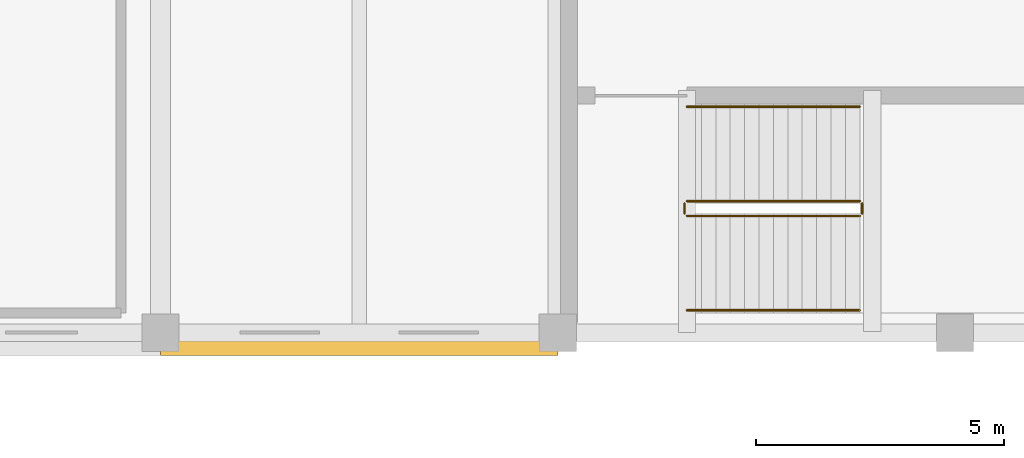
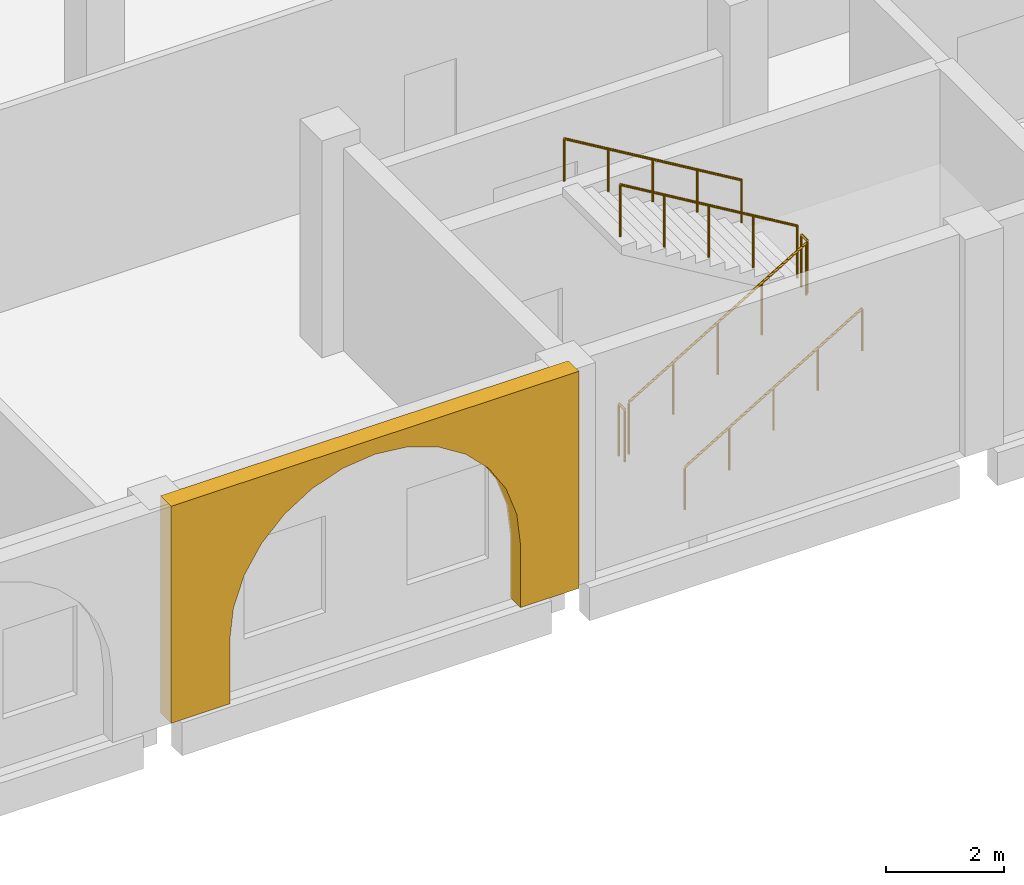
# One storey, part 48 of 53: 6 railings, 1 covering.
"""IFC4 building model written with IfcOpenShell, lengths in metres."""

import ifcopenshell
import ifcopenshell.guid

model = None  # the IFC model being written
_history = None  # IfcOwnerHistory: only IFC2X3 demands one
_inside = {}  # id of a spatial element -> (the spatial element, [elements in it])
_under = {}  # id of a project, library or spatial element -> (it, [spatial elements below it])
_declared = {}  # id of a project -> (the project, [libraries it declares])
_typed = {}  # id of a type object -> (the type object, [elements of that type])
_made_of = {}  # id of a material, layer set ... -> (it, [elements and type objects made of it])


def new_model(schema):
    """Start an empty IFC model of exactly this schema.

    Asked for "IFC4X3", IfcOpenShell would pick the latest addendum, in which some entities
    have other attributes; the version numbers below select the first issue.
    IFC2X3 requires an IfcOwnerHistory on every rooted entity: one is made here for all.
    """
    global model, _history
    if schema == "IFC4X3":
        model = ifcopenshell.file(schema_version=(4, 3, 0, 0))
    else:
        model = ifcopenshell.file(schema=schema)
    _inside.clear()
    _under.clear()
    _declared.clear()
    _typed.clear()
    _made_of.clear()
    _history = None
    if model.schema == "IFC2X3":
        org = make("IfcOrganization", Name="unknown")
        user = make(
            "IfcPersonAndOrganization",
            ThePerson=make("IfcPerson", FamilyName="unknown"),
            TheOrganization=org,
        )
        app = make(
            "IfcApplication",
            ApplicationDeveloper=org,
            Version="unknown",
            ApplicationFullName="unknown",
            ApplicationIdentifier="unknown",
        )
        _history = make(
            "IfcOwnerHistory",
            OwningUser=user,
            OwningApplication=app,
            ChangeAction="ADDED",
            CreationDate=0,
        )
    return model


def make(cls, **values):
    """One entity of the class cls with the attributes given. An attribute that is None is left unset."""
    return model.create_entity(
        cls, **{name: value for name, value in values.items() if value is not None}
    )


def rooted(cls, **values):
    """An entity with a GlobalId (a new one), such as an element, a storey or a relation."""
    return make(cls, GlobalId=ifcopenshell.guid.new(), OwnerHistory=_history, **values)


def si_unit(unit_type, name, prefix=None):
    """IfcSIUnit, for example si_unit("LENGTHUNIT", "METRE", prefix="MILLI")."""
    return make("IfcSIUnit", UnitType=unit_type, Prefix=prefix, Name=name)


def assignment(units):
    """IfcUnitAssignment: the units of a project."""
    return None if units is None else make("IfcUnitAssignment", Units=units)


def point(xyz):
    """IfcCartesianPoint."""
    return None if xyz is None else make("IfcCartesianPoint", Coordinates=xyz)


def direction(xyz):
    """IfcDirection."""
    return None if xyz is None else make("IfcDirection", DirectionRatios=xyz)


def frame(location, z_axis=None, x_axis=None):
    """IfcAxis2Placement3D, a coordinate frame: its origin and axes. An axis left out is left unset."""
    return make(
        "IfcAxis2Placement3D",
        Location=point(location),
        Axis=direction(z_axis),
        RefDirection=direction(x_axis),
    )


def frame_2d(location, x_axis=None):
    """IfcAxis2Placement2D, a coordinate frame in the plane: its origin and x axis."""
    return make(
        "IfcAxis2Placement2D", Location=point(location), RefDirection=direction(x_axis)
    )


def origin():
    """The frame at (0, 0, 0) with its axes left unset."""
    return frame((0.0, 0.0, 0.0))


def origin_2d():
    """The frame at (0, 0) in the plane with its x axis left unset."""
    return frame_2d((0.0, 0.0))


def place(relative_to, where):
    """IfcLocalPlacement: puts the frame where relative to a parent placement (None: the world)."""
    return make(
        "IfcLocalPlacement", PlacementRelTo=relative_to, RelativePlacement=where
    )


def context(
    kind, dimensions, precision=None, world=None, true_north=None, identifier=None
):
    """IfcGeometricRepresentationContext, for example the 3D "Model" context."""
    return make(
        "IfcGeometricRepresentationContext",
        ContextIdentifier=identifier,
        ContextType=kind,
        CoordinateSpaceDimension=dimensions,
        Precision=precision,
        WorldCoordinateSystem=world,
        TrueNorth=true_north,
    )


def subcontext(parent, identifier, kind, view, scale=None):
    """IfcGeometricRepresentationSubContext, for example "Body" below "Model"."""
    return make(
        "IfcGeometricRepresentationSubContext",
        ContextIdentifier=identifier,
        ContextType=kind,
        ParentContext=parent,
        TargetScale=scale,
        TargetView=view,
    )


def project(units=None, contexts=None):
    """IfcProject with its units and contexts."""
    return rooted(
        "IfcProject",
        Name="project",
        RepresentationContexts=contexts,
        UnitsInContext=assignment(units),
    )


def spatial(cls, under=None, at=None, **own):
    """A site, building, storey or space (cls), placed at a placement, below another one or the project."""
    s = rooted(cls, ObjectPlacement=at, **own)
    if under is not None:
        _under.setdefault(under.id(), (under, []))[1].append(s)
    return s


def polyline(points):
    """IfcPolyline through the points."""
    return make("IfcPolyline", Points=[point(p) for p in points])


def profile(cls, at=None, kind="AREA", **sizes):
    """A parametric profile (cls). Its sizes go by their IFC names, for example OverallWidth=200.0."""
    return make(cls, ProfileType=kind, Position=at, **sizes)


def circle(**sizes):
    """IfcCircleProfileDef."""
    return profile("IfcCircleProfileDef", **sizes)


def outline(outer, holes=None, kind="AREA"):
    """IfcArbitraryClosedProfileDef: a profile drawn as a closed curve; with holes, ...WithVoids."""
    if holes is None:
        return make("IfcArbitraryClosedProfileDef", ProfileType=kind, OuterCurve=outer)
    return make(
        "IfcArbitraryProfileDefWithVoids",
        ProfileType=kind,
        OuterCurve=outer,
        InnerCurves=holes,
    )


def extrude(swept, where, along, depth):
    """IfcExtrudedAreaSolid: the profile swept, set in the frame where, extruded along a direction by depth."""
    return make(
        "IfcExtrudedAreaSolid",
        SweptArea=swept,
        Position=where,
        ExtrudedDirection=direction(along),
        Depth=depth,
    )


def shape(context_of_items, identifier, shape_type, items):
    """IfcShapeRepresentation: the items that make up one representation, for example the "Body"."""
    return make(
        "IfcShapeRepresentation",
        ContextOfItems=context_of_items,
        RepresentationIdentifier=identifier,
        RepresentationType=shape_type,
        Items=items,
    )


def material(Name=None, Category=None):
    """IfcMaterial."""
    return make("IfcMaterial", Name=Name, Category=Category)


def layer(
    of_material, thickness, ventilated=None, Name=None, Category=None, Priority=None
):
    """IfcMaterialLayer: one layer of a wall or slab, of a material (None: an air gap)."""
    return make(
        "IfcMaterialLayer",
        Material=of_material,
        LayerThickness=thickness,
        IsVentilated=ventilated,
        Name=Name,
        Category=Category,
        Priority=Priority,
    )


def layer_set(layers, Name=None):
    """IfcMaterialLayerSet."""
    return make("IfcMaterialLayerSet", MaterialLayers=layers, LayerSetName=Name)


def made_of(thing, what):
    """Note that an element or type object is made of a material, layer set ...; save() writes the relation."""
    if what is not None:
        _made_of.setdefault(what.id(), (what, []))[1].append(thing)
    return thing


def type_object(cls, material=None, **own):
    """A type object (cls), such as IfcWallType, which elements share."""
    return made_of(rooted(cls, **own), material)


def element(
    cls,
    number,
    at=None,
    inside=None,
    cuts=None,
    type_object=None,
    material=None,
    context=None,
    identifier="Body",
    shape_type=None,
    held_by="IfcProductDefinitionShape",
    body=None,
    shapes=None,
    **own,
):
    """One element of the class cls, such as IfcWall. Its Tag is "e" and its number.

    at: its placement. inside: the storey or other place that contains it. cuts: it is an
    opening in that element (IfcRelVoidsElement). A single representation is given by context,
    identifier, shape_type and body (its items); several are given by shapes. held_by: the class
    of the entity that holds the representations. save() writes the other relations.
    """
    e = rooted(cls, Tag="e%d" % number, ObjectPlacement=at, **own)
    if body is not None:
        shapes = [shape(context, identifier, shape_type, body)]
    if shapes is not None:
        e.Representation = make(held_by, Representations=shapes)
    if inside is not None:
        _inside.setdefault(inside.id(), (inside, []))[1].append(e)
    if cuts is not None:
        rooted(
            "IfcRelVoidsElement", RelatingBuildingElement=cuts, RelatedOpeningElement=e
        )
    if type_object is not None:
        _typed.setdefault(type_object.id(), (type_object, []))[1].append(e)
    return made_of(e, material)


def aggregate(whole, parts):
    """IfcRelAggregates: a whole, such as a stair, and the parts it consists of."""
    return rooted("IfcRelAggregates", RelatingObject=whole, RelatedObjects=parts)


def save(model, path):
    """Write the relations noted so far, then the file.

    IfcRelAggregates (storeys below a building ...), IfcRelContainedInSpatialStructure (elements
    in a storey), IfcRelDefinesByType, IfcRelAssociatesMaterial and IfcRelDeclares: one each for
    every whole, place, type object, material and project.
    """
    for whole, parts in _under.values():
        aggregate(whole, parts)
    for where, things in _inside.values():
        rooted(
            "IfcRelContainedInSpatialStructure",
            RelatedElements=things,
            RelatingStructure=where,
        )
    for kind, things in _typed.values():
        rooted("IfcRelDefinesByType", RelatedObjects=things, RelatingType=kind)
    for what, things in _made_of.values():
        rooted("IfcRelAssociatesMaterial", RelatedObjects=things, RelatingMaterial=what)
    for by, libraries in _declared.values():
        rooted("IfcRelDeclares", RelatingContext=by, RelatedDefinitions=libraries)
    model.write(path)


model = new_model("IFC4")

# Units and contexts
model_context = context("Model", 3, precision=1e-05, world=origin(), true_north=direction((0.0, 1.0)))
body_context = subcontext(model_context, "Body", "Model", "MODEL_VIEW")
ifc_project = project(units=[si_unit("LENGTHUNIT", "METRE"), si_unit("AREAUNIT", "SQUARE_METRE"), si_unit("VOLUMEUNIT", "CUBIC_METRE"), si_unit("PLANEANGLEUNIT", "RADIAN"), si_unit("MASSUNIT", "GRAM", prefix="KILO")], contexts=[model_context])

# Site, building, storey
site_placement = place(None, origin())
site = spatial("IfcSite", under=ifc_project, at=site_placement, CompositionType="ELEMENT")
building_placement = place(site_placement, origin())
building = spatial("IfcBuilding", under=site, at=building_placement, Name="Qorikala Patio Media Centre", CompositionType="ELEMENT")
storey_placement = place(building_placement, frame((0.0, 0.0, 5.39990234375)))
storey = spatial("IfcBuildingStorey", under=building, at=storey_placement, Name="L01", CompositionType="ELEMENT", Elevation=5.39990234375)

# Covering
ifc_material_1 = material(Name="Comanche Granite Ashlar Stone", Category="masonry")
ifc_layer = layer(ifc_material_1, 0.06005859375)
ifc_layer_set = layer_set([ifc_layer], Name="Comanche Granite Ashlar Stone")
covering_type = type_object("IfcCoveringType", Name="COV-CLAD-STONE", PredefinedType="CLADDING", material=ifc_layer_set)
covering_placement = place(storey_placement, frame((114.0, 2.719970703125, 0.0), z_axis=(0.0, 0.0, 1.0), x_axis=(1.0, 0.0, 0.0)))
element("IfcCovering", 1, at=covering_placement, inside=storey, type_object=covering_type, Name="Spanish Colonial Stone Arched Arcade UARC-V7S-3", PredefinedType="CLADDING", context=body_context, shape_type="SweptSolid", body=[
    extrude(outline(polyline([(0.0, 0.0), (1.14990234375, 0.0), (1.14990234375, 1.330078125), (1.221435546875, 1.964111328125), (1.43212890625, 2.566650390625), (1.771728515625, 3.10693359375), (2.22314453125, 3.55810546875), (2.763427734375, 3.897705078125), (3.36572265625, 4.1083984375), (4.0, 4.179931640625), (4.63427734375, 4.1083984375), (5.236572265625, 3.897705078125), (5.77685546875, 3.55810546875), (6.228271484375, 3.10693359375), (6.56787109375, 2.566650390625), (6.778564453125, 1.964111328125), (6.85009765625, 1.330078125), (6.85009765625, 0.0), (8.0, 0.0), (8.0, 4.5), (0.0, 4.5), (0.0, 0.0)])), frame((0.0, 0.18017578125, 0.0), z_axis=(0.0, -1.0, 0.0), x_axis=(1.0, 0.0, 0.0)), (0.0, 0.0, 1.0), 0.360107421875),
])

# Railings
ifc_material_2 = material(Name="Wrought Bronze and Steel S355", Category="steel")
railing_type_1 = type_object("IfcRailingType", Name="RL-GUARD-110", PredefinedType="GUARDRAIL", material=ifc_material_2)
railing_1_placement = place(storey_placement, frame((124.60009765625, 5.35009765625, 0.173095703125)))
element("IfcRailing", 2, at=railing_1_placement, inside=storey, type_object=railing_type_1, Name="L01 ST-7 stair guard 1", PredefinedType="GUARDRAIL", context=body_context, shape_type="SweptSolid", body=[
    extrude(circle(Radius=0.02392578125, at=origin_2d()), frame((0.0, 0.0, 1.076171875), z_axis=(0.858697190188, 0.0, 0.512483302717), x_axis=(0.0, 1.0, 0.0)), (0.0, 0.0, 1.0), 4.052734375),
    extrude(circle(Radius=0.02099609375, at=origin_2d()), origin(), (0.0, 0.0, 1.0), 1.052001953125),
    extrude(circle(Radius=0.02099609375, at=origin_2d()), frame((0.8701171875, 0.0, 0.519287109375)), (0.0, 0.0, 1.0), 1.052001953125),
    extrude(circle(Radius=0.02099609375, at=origin_2d()), frame((1.739990234375, 0.0, 1.03857421875)), (0.0, 0.0, 1.0), 1.052001953125),
    extrude(circle(Radius=0.02099609375, at=origin_2d()), frame((2.60986328125, 0.0, 1.5576171875)), (0.0, 0.0, 1.0), 1.052001953125),
    extrude(circle(Radius=0.02099609375, at=origin_2d()), frame((3.47998046875, 0.0, 2.076904296875)), (0.0, 0.0, 1.0), 1.052001953125),
])
railing_2_placement = place(storey_placement, frame((128.1298828125, 5.39990234375, 2.25)))
element("IfcRailing", 3, at=railing_2_placement, inside=storey, type_object=railing_type_1, Name="L01 ST-7 stair guard 2", PredefinedType="GUARDRAIL", context=body_context, shape_type="SweptSolid", body=[
    extrude(circle(Radius=0.02392578125, at=origin_2d()), frame((0.0, 0.0, 1.076171875), z_axis=(0.0, 1.0, 0.0), x_axis=(-1.0, 0.0, 0.0)), (0.0, 0.0, 1.0), 0.2001953125),
    extrude(circle(Radius=0.02099609375, at=origin_2d()), origin(), (0.0, 0.0, 1.0), 1.052001953125),
    extrude(circle(Radius=0.02099609375, at=origin_2d()), frame((0.0, 0.2001953125, 0.0)), (0.0, 0.0, 1.0), 1.052001953125),
])
railing_3_placement = place(storey_placement, frame((128.080078125, 5.64990234375, 2.423095703125)))
element("IfcRailing", 4, at=railing_3_placement, inside=storey, type_object=railing_type_1, Name="L01 ST-7 stair guard 3", PredefinedType="GUARDRAIL", context=body_context, shape_type="SweptSolid", body=[
    extrude(circle(Radius=0.02392578125, at=origin_2d()), frame((0.0, 0.0, 1.076171875), z_axis=(-0.858697190188, 0.0, 0.512483302717), x_axis=(0.0, -1.0, 0.0)), (0.0, 0.0, 1.0), 4.052734375),
    extrude(circle(Radius=0.02099609375, at=origin_2d()), origin(), (0.0, 0.0, 1.0), 1.052001953125),
    extrude(circle(Radius=0.02099609375, at=origin_2d()), frame((-0.8701171875, 0.0, 0.519287109375)), (0.0, 0.0, 1.0), 1.052001953125),
    extrude(circle(Radius=0.02099609375, at=origin_2d()), frame((-1.739990234375, 0.0, 1.03857421875)), (0.0, 0.0, 1.0), 1.052001953125),
    extrude(circle(Radius=0.02099609375, at=origin_2d()), frame((-2.60986328125, 0.0, 1.5576171875)), (0.0, 0.0, 1.0), 1.052001953125),
    extrude(circle(Radius=0.02099609375, at=origin_2d()), frame((-3.47998046875, 0.0, 2.076904296875)), (0.0, 0.0, 1.0), 1.052001953125),
])
railing_4_placement = place(storey_placement, frame((124.550048828125, 5.39990234375, 0.0)))
element("IfcRailing", 5, at=railing_4_placement, inside=storey, type_object=railing_type_1, Name="L01 ST-7 stair guard 4", PredefinedType="GUARDRAIL", context=body_context, shape_type="SweptSolid", body=[
    extrude(circle(Radius=0.02392578125, at=origin_2d()), frame((0.0, 0.0, 1.076171875), z_axis=(0.0, 1.0, 0.0), x_axis=(-1.0, 0.0, 0.0)), (0.0, 0.0, 1.0), 0.2001953125),
    extrude(circle(Radius=0.02099609375, at=origin_2d()), origin(), (0.0, 0.0, 1.0), 1.052001953125),
    extrude(circle(Radius=0.02099609375, at=origin_2d()), frame((0.0, 0.2001953125, 0.0)), (0.0, 0.0, 1.0), 1.052001953125),
])
ifc_material_3 = material(Name="Brushed Bronze Tubular Steel S355", Category="steel")
railing_type_2 = type_object("IfcRailingType", Name="RL-HAND-090", PredefinedType="HANDRAIL", material=ifc_material_3)
railing_5_placement = place(storey_placement, frame((124.60009765625, 3.449951171875, 0.173095703125)))
element("IfcRailing", 6, at=railing_5_placement, inside=storey, type_object=railing_type_2, Name="L01 ST-7 stair handrail 1", PredefinedType="HANDRAIL", context=body_context, shape_type="SweptSolid", body=[
    extrude(circle(Radius=0.02392578125, at=origin_2d()), frame((0.0, 0.0, 0.8759765625), z_axis=(0.858697190188, 0.0, 0.512483302717), x_axis=(0.0, 1.0, 0.0)), (0.0, 0.0, 1.0), 4.052734375),
    extrude(circle(Radius=0.02099609375, at=origin_2d()), origin(), (0.0, 0.0, 1.0), 0.851806640625),
    extrude(circle(Radius=0.02099609375, at=origin_2d()), frame((0.8701171875, 0.0, 0.519287109375)), (0.0, 0.0, 1.0), 0.851806640625),
    extrude(circle(Radius=0.02099609375, at=origin_2d()), frame((1.739990234375, 0.0, 1.03857421875)), (0.0, 0.0, 1.0), 0.851806640625),
    extrude(circle(Radius=0.02099609375, at=origin_2d()), frame((2.60986328125, 0.0, 1.5576171875)), (0.0, 0.0, 1.0), 0.851806640625),
    extrude(circle(Radius=0.02099609375, at=origin_2d()), frame((3.47998046875, 0.0, 2.076904296875)), (0.0, 0.0, 1.0), 0.851806640625),
])
railing_6_placement = place(storey_placement, frame((128.080078125, 7.550048828125, 2.423095703125)))
element("IfcRailing", 7, at=railing_6_placement, inside=storey, type_object=railing_type_2, Name="L01 ST-7 stair handrail 2", PredefinedType="HANDRAIL", context=body_context, shape_type="SweptSolid", body=[
    extrude(circle(Radius=0.02392578125, at=origin_2d()), frame((0.0, 0.0, 0.8759765625), z_axis=(-0.858697190188, 0.0, 0.512483302717), x_axis=(0.0, -1.0, 0.0)), (0.0, 0.0, 1.0), 4.052734375),
    extrude(circle(Radius=0.02099609375, at=origin_2d()), origin(), (0.0, 0.0, 1.0), 0.851806640625),
    extrude(circle(Radius=0.02099609375, at=origin_2d()), frame((-0.8701171875, 0.0, 0.519287109375)), (0.0, 0.0, 1.0), 0.851806640625),
    extrude(circle(Radius=0.02099609375, at=origin_2d()), frame((-1.739990234375, 0.0, 1.03857421875)), (0.0, 0.0, 1.0), 0.851806640625),
    extrude(circle(Radius=0.02099609375, at=origin_2d()), frame((-2.60986328125, 0.0, 1.5576171875)), (0.0, 0.0, 1.0), 0.851806640625),
    extrude(circle(Radius=0.02099609375, at=origin_2d()), frame((-3.47998046875, 0.0, 2.076904296875)), (0.0, 0.0, 1.0), 0.851806640625),
])

save(model, "model.ifc")
